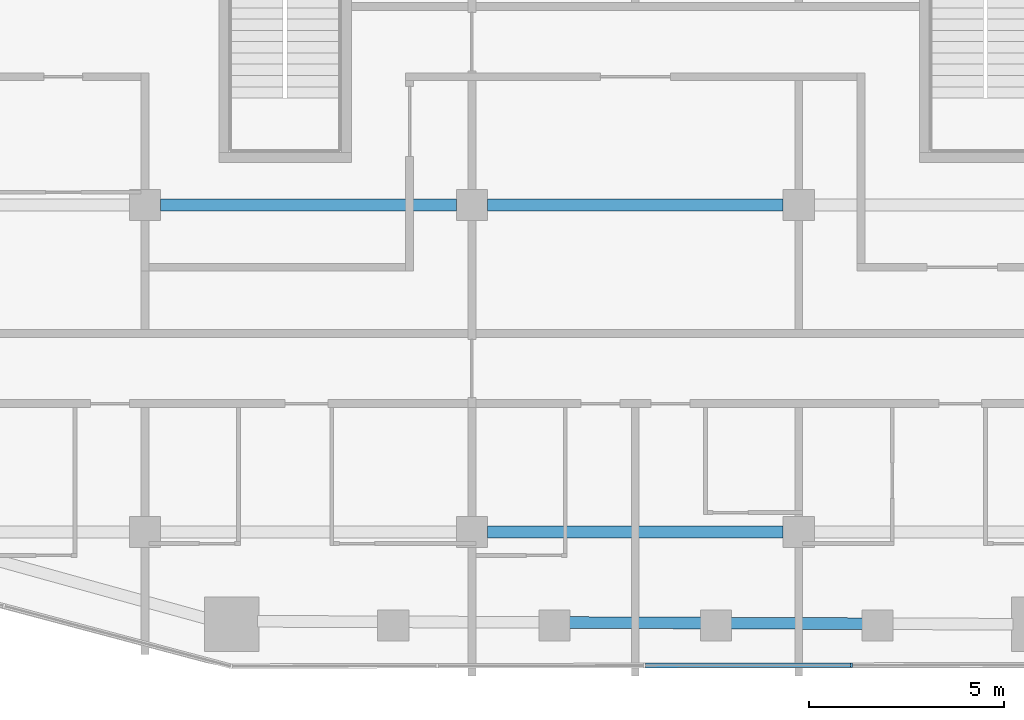
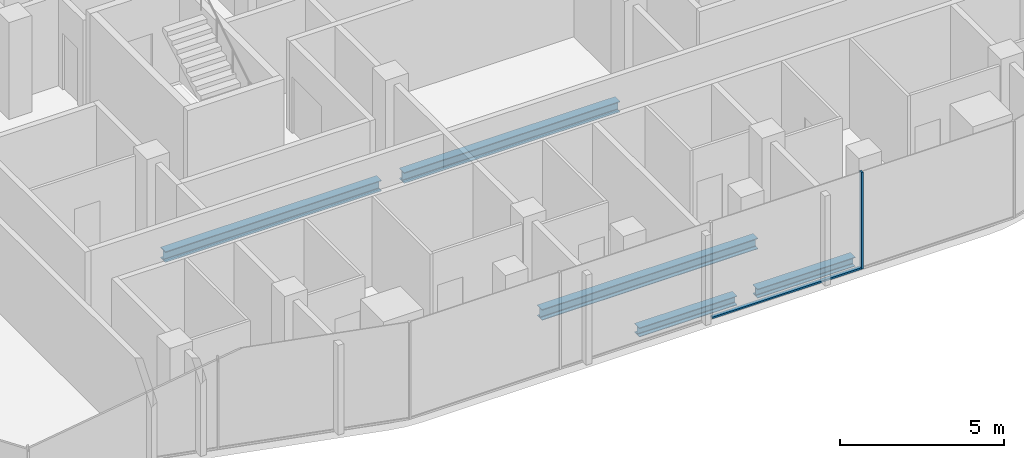
# One storey, part 3 of 20: 5 beams, 2 members, 1 element without a shape of its own.
"""IFC4 building model written with IfcOpenShell, lengths in metres."""

from ifc_helpers import new_model, si_unit, direction, frame, origin, origin_2d, place, context, subcontext, project, spatial, rectangle, i_section, extrude, material, layer, layer_set, material_profile, profile_set, type_object, element, aggregate, save


model = new_model("IFC4")

# Units and contexts
model_context = context("Model", 3, precision=1e-05, world=origin(), true_north=direction((0.0, 1.0)))
body_context = subcontext(model_context, "Body", "Model", "MODEL_VIEW")
ifc_project = project(units=[si_unit("LENGTHUNIT", "METRE"), si_unit("AREAUNIT", "SQUARE_METRE"), si_unit("VOLUMEUNIT", "CUBIC_METRE"), si_unit("PLANEANGLEUNIT", "RADIAN"), si_unit("MASSUNIT", "GRAM", prefix="KILO")], contexts=[model_context])

# Site, building, storey
site_placement = place(None, origin())
site = spatial("IfcSite", under=ifc_project, at=site_placement, CompositionType="ELEMENT")
building_placement = place(site_placement, origin())
building = spatial("IfcBuilding", under=site, at=building_placement, Name="Marenta Gate Hotel Tower", CompositionType="ELEMENT")
storey_placement = place(building_placement, frame((0.0, 0.0, 216.5)))
storey = spatial("IfcBuildingStorey", under=building, at=storey_placement, Name="L50", CompositionType="ELEMENT", Elevation=216.5)

# Beams
ifc_material_1 = material(Name="Steel S355", Category="steel")
ifc_material_profile_1 = material_profile(ifc_material_1, i_section(OverallWidth=0.300048828125, OverallDepth=0.340087890625, WebThickness=0.011962890625, FlangeThickness=0.021484375, FilletRadius=0.027099609375, at=origin_2d()), Name="HEB 340")
ifc_profile_set_1 = profile_set([ifc_material_profile_1], Name="Steel S355")
beam_type_1 = type_object("IfcBeamType", Name="Edge beam HEB 340", PredefinedType="SPANDREL", material=ifc_profile_set_1)
for number, where, z_axis, x_axis, name in (
    (1, (5.860107421875, -27.555419921875, -0.429931640625), (-0.999992599416, 0.003847221457, 0.0), (-0.003847221457, -0.999992599416, 0.0), "L50-EB-33"),
    (2, (1.71337890625, -27.539306640625, -0.429931640625), (-0.999992599416, 0.003847221457, 0.0), (-0.003847221457, -0.999992599416, 0.0), "L50-EB-34"),
):
    element("IfcBeam", number, at=place(storey_placement, frame(where, z_axis=z_axis, x_axis=x_axis)), inside=storey, type_object=beam_type_1, Name=name, PredefinedType="SPANDREL", context=body_context, shape_type="SweptSolid", body=[
        extrude(i_section(OverallWidth=0.300048828125, OverallDepth=0.340087890625, WebThickness=0.011962890625, FlangeThickness=0.021484375, FilletRadius=0.027099609375, at=origin_2d()), origin(), (0.0, 0.0, 1.0), 3.4267578125),
    ])
ifc_material_2 = material(Name="Steel S355", Category="steel")
ifc_material_profile_2 = material_profile(ifc_material_2, i_section(OverallWidth=0.300048828125, OverallDepth=0.39990234375, WebThickness=0.013427734375, FlangeThickness=0.02392578125, FilletRadius=0.027099609375, at=origin_2d()), Name="HEB 400")
ifc_profile_set_2 = profile_set([ifc_material_profile_2], Name="Steel S355")
beam_type_2 = type_object("IfcBeamType", Name="Girder HEB 400", PredefinedType="BEAM", material=ifc_profile_set_2)
beam_1_placement = place(storey_placement, frame((-3.800048828125, -25.199951171875, -0.4599609375), z_axis=(1.0, 0.0, 0.0), x_axis=(0.0, 1.0, 0.0)))
element("IfcBeam", 3, at=beam_1_placement, inside=storey, type_object=beam_type_2, Name="L50-GD-3", PredefinedType="BEAM", context=body_context, shape_type="SweptSolid", body=[
    extrude(i_section(OverallWidth=0.300048828125, OverallDepth=0.39990234375, WebThickness=0.013427734375, FlangeThickness=0.02392578125, FilletRadius=0.027099609375, at=origin_2d()), origin(), (0.0, 0.0, 1.0), 7.60009765625),
])
beam_2_placement = place(storey_placement, frame((-12.199951171875, -16.800048828125, -0.4599609375), z_axis=(1.0, 0.0, 0.0), x_axis=(0.0, 1.0, 0.0)))
element("IfcBeam", 4, at=beam_2_placement, inside=storey, type_object=beam_type_2, Name="L50-GD-8", PredefinedType="BEAM", context=body_context, shape_type="SweptSolid", body=[
    extrude(i_section(OverallWidth=0.300048828125, OverallDepth=0.39990234375, WebThickness=0.013427734375, FlangeThickness=0.02392578125, FilletRadius=0.027099609375, at=origin_2d()), origin(), (0.0, 0.0, 1.0), 7.599853515625),
])
beam_3_placement = place(storey_placement, frame((-3.800048828125, -16.800048828125, -0.4599609375), z_axis=(1.0, 0.0, 0.0), x_axis=(0.0, 1.0, 0.0)))
element("IfcBeam", 5, at=beam_3_placement, inside=storey, type_object=beam_type_2, Name="L50-GD-9", PredefinedType="BEAM", context=body_context, shape_type="SweptSolid", body=[
    extrude(i_section(OverallWidth=0.300048828125, OverallDepth=0.39990234375, WebThickness=0.013427734375, FlangeThickness=0.02392578125, FilletRadius=0.027099609375, at=origin_2d()), origin(), (0.0, 0.0, 1.0), 7.60009765625),
])

# Curtain wall, members
ifc_material_3 = material(Name="Tinted insulated glass in bronze anodised frame", Category="glass")
ifc_layer = layer(ifc_material_3, 0.1201171875)
ifc_layer_set = layer_set([ifc_layer], Name="Tinted insulated glass in bronze anodised frame")
curtain_wall_type = type_object("IfcCurtainWallType", Name="Tower unitised curtain wall CW1", PredefinedType="NOTDEFINED", material=ifc_layer_set)
curtain_wall_placement = place(storey_placement, origin())
curtain_wall = element("IfcCurtainWall", 6, at=curtain_wall_placement, inside=storey, type_object=curtain_wall_type, Name="CW1 run G07", PredefinedType="NOTDEFINED")
ifc_material_4 = material(Name="Bronze anodised aluminium", Category="aluminium")
ifc_material_profile_3 = material_profile(ifc_material_4, rectangle(XDim=0.1201171875, YDim=0.06005859375, at=origin_2d()), Name="Mullion CW1 60x120 bronze anodised aluminium")
ifc_profile_set_3 = profile_set([ifc_material_profile_3], Name="Bronze anodised aluminium")
member_type_1 = type_object("IfcMemberType", Name="Mullion CW1 60x120 bronze anodised aluminium", PredefinedType="MULLION", material=ifc_profile_set_3)
member_1_placement = place(storey_placement, frame((5.5537109375, -28.621337890625, 0.0), z_axis=(0.0, 0.0, 1.0), x_axis=(-0.001644757804, 0.999998647385, 0.0)))
member_1 = element("IfcMember", 7, at=member_1_placement, type_object=member_type_1, Name="CW1 mullion 4", PredefinedType="MULLION", context=body_context, shape_type="SweptSolid", body=[
    extrude(rectangle(XDim=0.1201171875, YDim=0.06005859375, at=origin_2d()), origin(), (0.0, 0.0, 1.0), 3.60009765625),
])
ifc_material_5 = material(Name="Bronze anodised aluminium", Category="aluminium")
ifc_material_profile_4 = material_profile(ifc_material_5, rectangle(XDim=0.1201171875, YDim=0.06005859375, at=origin_2d()), Name="Transom CW1 60x120 bronze anodised aluminium")
ifc_profile_set_4 = profile_set([ifc_material_profile_4], Name="Bronze anodised aluminium")
member_type_2 = type_object("IfcMemberType", Name="Transom CW1 60x120 bronze anodised aluminium", PredefinedType="USERDEFINED", material=ifc_profile_set_4)
member_2_placement = place(storey_placement, frame((0.263916015625, -28.6298828125, 0.030029296875), z_axis=(0.999998680369, 0.001624580106, 0.0), x_axis=(-0.001624580106, 0.999998680369, 0.0)))
member_2 = element("IfcMember", 8, at=member_2_placement, type_object=member_type_2, Name="CW1 transom 3.1", ObjectType="TRANSOM", PredefinedType="USERDEFINED", context=body_context, shape_type="SweptSolid", body=[
    extrude(rectangle(XDim=0.1201171875, YDim=0.06005859375, at=origin_2d()), origin(), (0.0, 0.0, 1.0), 5.259765625),
])
aggregate(curtain_wall, [member_1, member_2])

save(model, "model.ifc")
